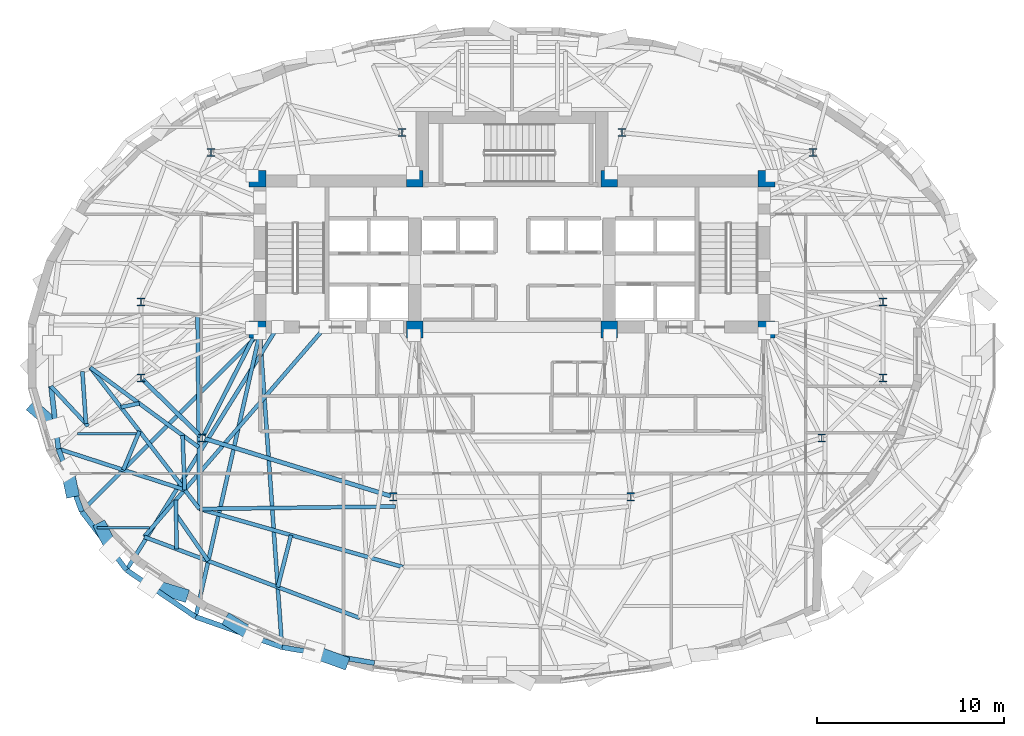
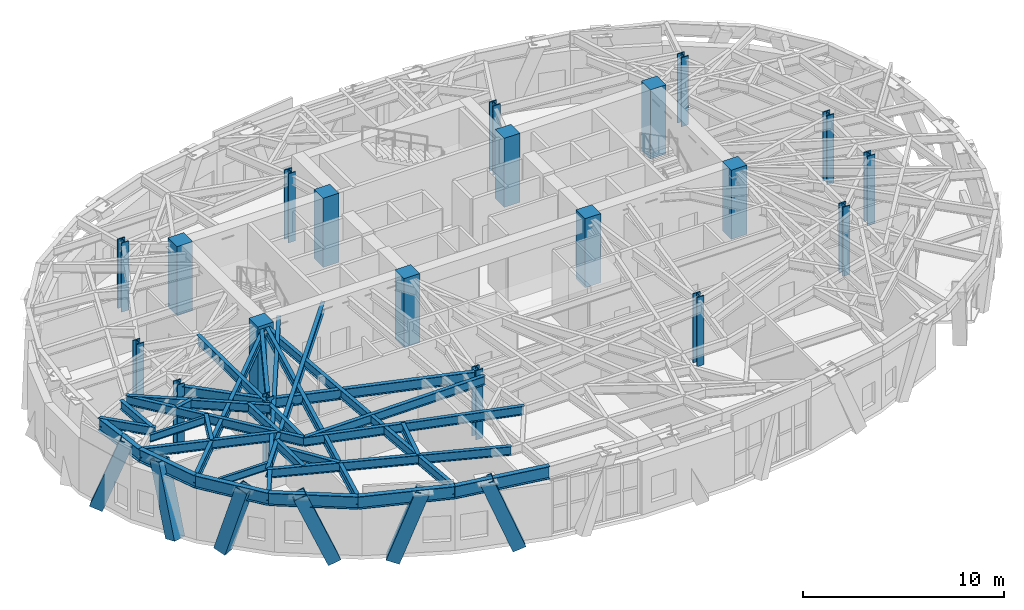
# One storey, part 1 of 16: 31 beams, 20 columns, 6 members.
"""IFC4 building model written with IfcOpenShell, lengths in metres."""

from ifc_helpers import new_model, si_unit, direction, frame, origin, origin_2d, place, context, subcontext, project, spatial, rectangle, hollow_rectangle, i_section, extrude, material, material_profile, profile_set, type_object, element, save


model = new_model("IFC4")

# Units and contexts
model_context = context("Model", 3, precision=1e-05, world=origin(), true_north=direction((0.0, 1.0)))
body_context = subcontext(model_context, "Body", "Model", "MODEL_VIEW")
ifc_project = project(units=[si_unit("LENGTHUNIT", "METRE"), si_unit("AREAUNIT", "SQUARE_METRE"), si_unit("VOLUMEUNIT", "CUBIC_METRE"), si_unit("PLANEANGLEUNIT", "RADIAN"), si_unit("MASSUNIT", "GRAM", prefix="KILO")], contexts=[model_context])

# Site, building, storey
site_placement = place(None, origin())
site = spatial("IfcSite", under=ifc_project, at=site_placement, CompositionType="ELEMENT")
building_placement = place(site_placement, origin())
building = spatial("IfcBuilding", under=site, at=building_placement, Name="Keldmark Tower", CompositionType="ELEMENT")
storey_placement = place(building_placement, frame((0.0, 0.0, 139.60009765625)))
storey = spatial("IfcBuildingStorey", under=building, at=storey_placement, Name="L37", CompositionType="ELEMENT", Elevation=139.60009765625)

# Columns
ifc_material_1 = material(Name="Concrete C50/60", Category="concrete")
ifc_material_profile_1 = material_profile(ifc_material_1, rectangle(XDim=0.89990234375, YDim=0.89990234375, at=origin_2d()), Name="RC900X900")
ifc_profile_set_1 = profile_set([ifc_material_profile_1], Name="Concrete C50/60")
column_type_1 = type_object("IfcColumnType", Name="Core Boundary Column RC900", PredefinedType="COLUMN", material=ifc_profile_set_1)
for number, where, z_axis, x_axis, name in (
    (1, (-13.60009765625, 1.39990234375, 0.0), (0.0, 0.0, 1.0), (1.0, 0.0, 0.0), "L37 Core Boundary Column CC-W1"),
    (2, (-13.60009765625, 9.449951171875, 0.0), (0.0, 0.0, 1.0), (1.0, 0.0, 0.0), "L37 Core Boundary Column CC-W2"),
    (3, (-5.199951171875, 1.39990234375, 0.0), (0.0, 0.0, 1.0), (1.0, 0.0, 0.0), "L37 Core Boundary Column CC-W3"),
    (4, (-5.199951171875, 9.449951171875, 0.0), (0.0, 0.0, 1.0), (1.0, 0.0, 0.0), "L37 Core Boundary Column CC-W4"),
    (5, (5.199951171875, 1.39990234375, 0.0), (0.0, 0.0, 1.0), (1.0, 0.0, 0.0), "L37 Core Boundary Column CC-E1"),
    (6, (5.199951171875, 9.449951171875, 0.0), (0.0, 0.0, 1.0), (1.0, 0.0, 0.0), "L37 Core Boundary Column CC-E2"),
    (7, (13.60009765625, 1.39990234375, 0.0), (0.0, 0.0, 1.0), (1.0, 0.0, 0.0), "L37 Core Boundary Column CC-E3"),
    (8, (13.60009765625, 9.449951171875, 0.0), (0.0, 0.0, 1.0), (1.0, 0.0, 0.0), "L37 Core Boundary Column CC-E4"),
):
    element("IfcColumn", number, at=place(storey_placement, frame(where, z_axis=z_axis, x_axis=x_axis)), inside=storey, type_object=column_type_1, Name=name, PredefinedType="COLUMN", context=body_context, shape_type="SweptSolid", body=[
        extrude(rectangle(XDim=0.89990234375, YDim=0.89990234375, at=origin_2d()), origin(), (0.0, 0.0, 1.0), 4.199951171875),
    ])
ifc_material_2 = material(Name="Steel ASTM A992 Grade 50", Category="steel")
ifc_material_profile_2 = material_profile(ifc_material_2, i_section(OverallWidth=0.412109375, OverallDepth=0.43505859375, WebThickness=0.035888671875, FlangeThickness=0.057373046875, at=origin_2d()), Name="W14X311")
ifc_profile_set_2 = profile_set([ifc_material_profile_2], Name="Steel ASTM A992 Grade 50")
column_type_2 = type_object("IfcColumnType", Name="Tower Gravity Column W14X311", PredefinedType="COLUMN", material=ifc_profile_set_2)
for number, where, z_axis, x_axis, name in (
    (9, (19.828369140625, 2.869140625, 0.0), (0.0, 0.0, 1.0), (1.0, 0.0, 0.0), "L37 Tower Gravity Column TC-E1"),
    (10, (16.08154296875, 10.861083984375, 0.0), (0.0, 0.0, 1.0), (1.0, 0.0, 0.0), "L37 Tower Gravity Column TC-E4"),
    (11, (5.880126953125, 11.915283203125, 0.0), (0.0, 0.0, 1.0), (1.0, 0.0, 0.0), "L37 Tower Gravity Column TC-N2"),
    (12, (-5.880126953125, 11.915283203125, 0.0), (0.0, 0.0, 1.0), (1.0, 0.0, 0.0), "L37 Tower Gravity Column TC-N1"),
    (13, (-16.08154296875, 10.861083984375, 0.0), (0.0, 0.0, 1.0), (1.0, 0.0, 0.0), "L37 Tower Gravity Column TC-W4"),
    (14, (-19.828369140625, 2.869140625, 0.0), (0.0, 0.0, 1.0), (1.0, 0.0, 0.0), "L37 Tower Gravity Column TC-W1"),
    (15, (-19.828369140625, -1.189208984375, 0.0), (0.0, 0.0, 1.0), (1.0, 0.0, 0.0), "L37 Tower Gravity Column TC-W5"),
    (16, (-16.546630859375, -4.3984375, 0.0), (0.0, 0.0, 1.0), (1.0, 0.0, 0.0), "L37 Tower Gravity Column TC-W2"),
    (17, (-6.351318359375, -7.546142578125, 0.0), (0.0, 0.0, 1.0), (1.0, 0.0, 0.0), "L37 Tower Gravity Column TC-W3"),
    (18, (6.351318359375, -7.546142578125, 0.0), (0.0, 0.0, 1.0), (1.0, 0.0, 0.0), "L37 Tower Gravity Column TC-E3"),
    (19, (16.546630859375, -4.3984375, 0.0), (0.0, 0.0, 1.0), (1.0, 0.0, 0.0), "L37 Tower Gravity Column TC-E2"),
    (20, (19.828369140625, -1.189208984375, 0.0), (0.0, 0.0, 1.0), (1.0, 0.0, 0.0), "L37 Tower Gravity Column TC-E5"),
):
    element("IfcColumn", number, at=place(storey_placement, frame(where, z_axis=z_axis, x_axis=x_axis)), inside=storey, type_object=column_type_2, Name=name, PredefinedType="COLUMN", context=body_context, shape_type="SweptSolid", body=[
        extrude(i_section(OverallWidth=0.412109375, OverallDepth=0.43505859375, WebThickness=0.035888671875, FlangeThickness=0.057373046875, at=origin_2d()), origin(), (0.0, 0.0, 1.0), 4.199951171875),
    ])

# Beams
ifc_material_3 = material(Name="Steel ASTM A992 Grade 50", Category="steel")
ifc_material_profile_3 = material_profile(ifc_material_3, i_section(OverallWidth=0.153076171875, OverallDepth=0.455078125, WebThickness=0.008056640625, FlangeThickness=0.01318359375, at=origin_2d()), Name="W18X40")
ifc_profile_set_3 = profile_set([ifc_material_profile_3], Name="Steel ASTM A992 Grade 50")
beam_type_1 = type_object("IfcBeamType", Name="Composite Floor Joist W18X40", PredefinedType="JOIST", material=ifc_profile_set_3)
beam_1_placement = place(storey_placement, frame((-22.168212890625, -9.199951171875, 3.79248046875), z_axis=(1.0, 0.0, 0.0), x_axis=(0.0, 1.0, 0.0)))
element("IfcBeam", 21, at=beam_1_placement, inside=storey, type_object=beam_type_1, Name="L37 Composite Floor Joist J02", PredefinedType="JOIST", context=body_context, shape_type="SweptSolid", body=[
    extrude(i_section(OverallWidth=0.153076171875, OverallDepth=0.455078125, WebThickness=0.008056640625, FlangeThickness=0.01318359375, at=origin_2d()), origin(), (0.0, 0.0, 1.0), 2.798828125),
])
beam_2_placement = place(storey_placement, frame((-23.2119140625, -4.179931640625, 3.79248046875), z_axis=(1.0, 0.0, 0.0), x_axis=(0.0, 1.0, 0.0)))
element("IfcBeam", 22, at=beam_2_placement, inside=storey, type_object=beam_type_1, Name="L37 Composite Floor Joist J04", PredefinedType="JOIST", context=body_context, shape_type="SweptSolid", body=[
    extrude(i_section(OverallWidth=0.153076171875, OverallDepth=0.455078125, WebThickness=0.008056640625, FlangeThickness=0.01318359375, at=origin_2d()), origin(), (0.0, 0.0, 1.0), 3.139892578125),
])

# Members
ifc_material_4 = material(Name="Steel ASTM A572 Grade 50", Category="steel")
ifc_material_profile_4 = material_profile(ifc_material_4, hollow_rectangle(XDim=0.699951171875, YDim=0.699951171875, WallThickness=0.044921875, at=origin_2d()), Name="BOX700X700X45")
ifc_profile_set_4 = profile_set([ifc_material_profile_4], Name="Steel ASTM A572 Grade 50")
member_type = type_object("IfcMemberType", Name="Diagrid Zone 2 Brace BOX700X700X45", PredefinedType="BRACE", material=ifc_profile_set_4)
member_1_placement = place(storey_placement, frame((-25.483642578125, -2.850341796875, -0.300048828125), z_axis=(0.262066689179, -0.226622796551, 0.938063515177), x_axis=(0.654103261751, 0.756405263709, 0.0)))
element("IfcMember", 23, at=member_1_placement, inside=storey, type_object=member_type, Name="L37 Perimeter Diagrid Brace 09A", PredefinedType="BRACE", context=body_context, shape_type="SweptSolid", body=[
    extrude(hollow_rectangle(XDim=0.699951171875, YDim=0.699951171875, WallThickness=0.044921875, at=origin_2d()), origin(), (0.0, 0.0, 1.0), 4.477294921875),
])
member_2_placement = place(storey_placement, frame((-23.522705078125, -7.224853515625, -0.300048828125), z_axis=(-0.055833681722, 0.262199897513, 0.963397017709), x_axis=(-0.978070630791, -0.208273476911, 0.0)))
element("IfcMember", 24, at=member_2_placement, inside=storey, type_object=member_type, Name="L37 Perimeter Diagrid Brace 09B", PredefinedType="BRACE", context=body_context, shape_type="SweptSolid", body=[
    extrude(hollow_rectangle(XDim=0.699951171875, YDim=0.699951171875, WallThickness=0.044921875, at=origin_2d()), origin(), (0.0, 0.0, 1.0), 4.359619140625),
])
member_3_placement = place(storey_placement, frame((-21.93310546875, -9.235107421875, -0.300048828125), z_axis=(0.133933404901, -0.262311712129, 0.955643452723), x_axis=(0.890623143363, 0.454742142874, 0.0)))
element("IfcMember", 25, at=member_3_placement, inside=storey, type_object=member_type, Name="L37 Perimeter Diagrid Brace 10A", PredefinedType="BRACE", context=body_context, shape_type="SweptSolid", body=[
    extrude(hollow_rectangle(XDim=0.699951171875, YDim=0.699951171875, WallThickness=0.044921875, at=origin_2d()), origin(), (0.0, 0.0, 1.0), 4.394775390625),
])
member_4_placement = place(storey_placement, frame((-17.649169921875, -12.768310546875, -0.300048828125), z_axis=(-0.367769110097, 0.112627277808, 0.923071491246), x_axis=(-0.29282099744, -0.956167277969, 0.0)))
element("IfcMember", 26, at=member_4_placement, inside=storey, type_object=member_type, Name="L37 Perimeter Diagrid Brace 10B", PredefinedType="BRACE", context=body_context, shape_type="SweptSolid", body=[
    extrude(hollow_rectangle(XDim=0.699951171875, YDim=0.699951171875, WallThickness=0.044921875, at=origin_2d()), origin(), (0.0, 0.0, 1.0), 4.550048828125),
])
member_5_placement = place(storey_placement, frame((-15.04345703125, -14.213623046875, -0.300048828125), z_axis=(0.281455160175, -0.176067118512, 0.94328328862), x_axis=(0.530340358886, 0.847784821601, 0.0)))
element("IfcMember", 27, at=member_5_placement, inside=storey, type_object=member_type, Name="L37 Perimeter Diagrid Brace 11A", PredefinedType="BRACE", context=body_context, shape_type="SweptSolid", body=[
    extrude(hollow_rectangle(XDim=0.699951171875, YDim=0.699951171875, WallThickness=0.044921875, at=origin_2d()), origin(), (0.0, 0.0, 1.0), 4.452392578125),
])
member_6_placement = place(storey_placement, frame((-9.088623046875, -16.367919921875, -0.300048828125), z_axis=(-0.339062233907, 0.123177069945, 0.932665111912), x_axis=(-0.341453441546, -0.93989868989, 0.0)))
element("IfcMember", 28, at=member_6_placement, inside=storey, type_object=member_type, Name="L37 Perimeter Diagrid Brace 11B", PredefinedType="BRACE", context=body_context, shape_type="SweptSolid", body=[
    extrude(hollow_rectangle(XDim=0.699951171875, YDim=0.699951171875, WallThickness=0.044921875, at=origin_2d()), origin(), (0.0, 0.0, 1.0), 4.503173828125),
])

# Beams
ifc_material_5 = material(Name="Steel ASTM A992 Grade 50", Category="steel")
ifc_material_profile_5 = material_profile(ifc_material_5, i_section(OverallWidth=0.22900390625, OverallDepth=0.612060546875, WebThickness=0.011962890625, FlangeThickness=0.01953125, at=origin_2d()), Name="W24X84")
ifc_profile_set_5 = profile_set([ifc_material_profile_5], Name="Steel ASTM A992 Grade 50")
beam_type_2 = type_object("IfcBeamType", Name="Primary Floor Girder W24X84", PredefinedType="BEAM", material=ifc_profile_set_5)
beam_3_placement = place(storey_placement, frame((-19.728271484375, -1.287109375, 3.7138671875), z_axis=(0.714964509815, -0.699160746684, 0.0), x_axis=(0.699160746684, 0.714964509815, 0.0)))
element("IfcBeam", 29, at=beam_3_placement, inside=storey, type_object=beam_type_2, Name="L37 Floor Ring Girder FG-R07", PredefinedType="BEAM", context=body_context, shape_type="SweptSolid", body=[
    extrude(i_section(OverallWidth=0.22900390625, OverallDepth=0.612060546875, WebThickness=0.011962890625, FlangeThickness=0.01953125, at=origin_2d()), origin(), (0.0, 0.0, 1.0), 4.31005859375),
])
beam_4_placement = place(storey_placement, frame((-16.412841796875, -4.439697265625, 3.7138671875), z_axis=(0.955494563145, -0.295008711398, 0.0), x_axis=(0.295008711398, 0.955494563145, 0.0)))
element("IfcBeam", 30, at=beam_4_placement, inside=storey, type_object=beam_type_2, Name="L37 Floor Ring Girder FG-R08", PredefinedType="BEAM", context=body_context, shape_type="SweptSolid", body=[
    extrude(i_section(OverallWidth=0.22900390625, OverallDepth=0.612060546875, WebThickness=0.011962890625, FlangeThickness=0.01953125, at=origin_2d()), origin(), (0.0, 0.0, 1.0), 10.39013671875),
])
ifc_material_6 = material(Name="Steel ASTM A992 Grade 50", Category="steel")
ifc_material_profile_6 = material_profile(ifc_material_6, i_section(OverallWidth=0.2099609375, OverallDepth=0.537109375, WebThickness=0.010986328125, FlangeThickness=0.017333984375, at=origin_2d()), Name="W21X68")
ifc_profile_set_6 = profile_set([ifc_material_profile_6], Name="Steel ASTM A992 Grade 50")
beam_type_3 = type_object("IfcBeamType", Name="Radial Tie Girder W21X68", PredefinedType="BEAM", material=ifc_profile_set_6)
beam_5_placement = place(storey_placement, frame((-16.4833984375, -4.273681640625, 3.75146484375), z_axis=(0.453036691775, 0.891491870914, 0.0), x_axis=(-0.891491870914, 0.453036691775, 0.0)))
element("IfcBeam", 31, at=beam_5_placement, inside=storey, type_object=beam_type_3, Name="L37 Floor Radial Girder FG-C08", PredefinedType="BEAM", context=body_context, shape_type="SweptSolid", body=[
    extrude(i_section(OverallWidth=0.2099609375, OverallDepth=0.537109375, WebThickness=0.010986328125, FlangeThickness=0.017333984375, at=origin_2d()), origin(), (0.0, 0.0, 1.0), 6.044189453125),
])
beam_6_placement = place(storey_placement, frame((-22.531494140625, -0.63720703125, 3.75146484375), z_axis=(0.805781024276, -0.592213593999, 0.0), x_axis=(0.592213593999, 0.805781024276, 0.0)))
element("IfcBeam", 32, at=beam_6_placement, inside=storey, type_object=beam_type_3, Name="L37 Framing Pin Header PH-004", PredefinedType="BEAM", context=body_context, shape_type="SweptSolid", body=[
    extrude(i_section(OverallWidth=0.2099609375, OverallDepth=0.537109375, WebThickness=0.010986328125, FlangeThickness=0.017333984375, at=origin_2d()), origin(), (0.0, 0.0, 1.0), 7.195068359375),
])
beam_7_placement = place(storey_placement, frame((-16.8017578125, 2.1552734375, 3.75146484375), z_axis=(0.009623557733, -0.999953692496, 0.0), x_axis=(0.999953692496, 0.009623557733, 0.0)))
element("IfcBeam", 33, at=beam_7_placement, inside=storey, type_object=beam_type_3, Name="L37 Sub-Ring Step Girder STP1-M08", PredefinedType="BEAM", context=body_context, shape_type="SweptSolid", body=[
    extrude(i_section(OverallWidth=0.2099609375, OverallDepth=0.537109375, WebThickness=0.010986328125, FlangeThickness=0.017333984375, at=origin_2d()), origin(), (0.0, 0.0, 1.0), 10.3505859375),
])
beam_8_placement = place(storey_placement, frame((-16.7021484375, -8.19482421875, 3.75146484375), z_axis=(0.999921632647, 0.012519127946, 0.0), x_axis=(-0.012519127946, 0.999921632647, 0.0)))
element("IfcBeam", 34, at=beam_8_placement, inside=storey, type_object=beam_type_3, Name="L37 Framing Pin Header PH-005", PredefinedType="BEAM", context=body_context, shape_type="SweptSolid", body=[
    extrude(i_section(OverallWidth=0.2099609375, OverallDepth=0.537109375, WebThickness=0.010986328125, FlangeThickness=0.017333984375, at=origin_2d()), origin(), (0.0, 0.0, 1.0), 10.47216796875),
])
beam_9_placement = place(storey_placement, frame((-22.531494140625, -0.63720703125, 3.75146484375), z_axis=(0.610749846947, -0.791823606906, 0.0), x_axis=(0.791823606906, 0.610749846947, 0.0)))
element("IfcBeam", 35, at=beam_9_placement, inside=storey, type_object=beam_type_3, Name="L37 Perimeter Collector Ring Beam CRG1-M07", PredefinedType="BEAM", context=body_context, shape_type="SweptSolid", body=[
    extrude(i_section(OverallWidth=0.2099609375, OverallDepth=0.537109375, WebThickness=0.010986328125, FlangeThickness=0.017333984375, at=origin_2d()), origin(), (0.0, 0.0, 1.0), 9.544677734375),
])
beam_10_placement = place(storey_placement, frame((-16.7021484375, -8.19482421875, 3.75146484375), z_axis=(0.961483210619, -0.274863667475, 0.0), x_axis=(0.274863667475, 0.961483210619, 0.0)))
element("IfcBeam", 36, at=beam_10_placement, inside=storey, type_object=beam_type_3, Name="L37 Perimeter Collector Ring Beam CRG1-M08", PredefinedType="BEAM", context=body_context, shape_type="SweptSolid", body=[
    extrude(i_section(OverallWidth=0.2099609375, OverallDepth=0.537109375, WebThickness=0.010986328125, FlangeThickness=0.017333984375, at=origin_2d()), origin(), (0.0, 0.0, 1.0), 11.310546875),
])
beam_11_placement = place(storey_placement, frame((-17.603515625, -4.259033203125, 3.75146484375), z_axis=(0.03892498894, -0.999242135439, 0.0), x_axis=(0.999242135439, 0.03892498894, 0.0)))
element("IfcBeam", 37, at=beam_11_placement, inside=storey, type_object=beam_type_3, Name="L37 Framing Pin Header PH-010", PredefinedType="BEAM", context=body_context, shape_type="SweptSolid", body=[
    extrude(i_section(OverallWidth=0.2099609375, OverallDepth=0.537109375, WebThickness=0.010986328125, FlangeThickness=0.017333984375, at=origin_2d()), origin(), (0.0, 0.0, 1.0), 2.91650390625),
])
beam_12_placement = place(storey_placement, frame((-9.97509765625, 1.52490234375, 3.75146484375), z_axis=(-0.653755037919, -0.756706251061, 0.0), x_axis=(0.756706251061, -0.653755037919, 0.0)))
element("IfcBeam", 38, at=beam_12_placement, inside=storey, type_object=beam_type_3, Name="L37 Sub-Ring Step Girder STP2-M08", PredefinedType="BEAM", context=body_context, shape_type="SweptSolid", body=[
    extrude(i_section(OverallWidth=0.2099609375, OverallDepth=0.537109375, WebThickness=0.010986328125, FlangeThickness=0.017333984375, at=origin_2d()), origin(), (0.0, 0.0, 1.0), 14.81201171875),
])
beam_13_placement = place(storey_placement, frame((-19.658447265625, -9.683349609375, 3.75146484375), z_axis=(0.935793237978, -0.352549309678, 0.0), x_axis=(0.352549309678, 0.935793237978, 0.0)))
element("IfcBeam", 39, at=beam_13_placement, inside=storey, type_object=beam_type_3, Name="L37 Perimeter Collector Ring Beam CRG2-M08", PredefinedType="BEAM", context=body_context, shape_type="SweptSolid", body=[
    extrude(i_section(OverallWidth=0.2099609375, OverallDepth=0.537109375, WebThickness=0.010986328125, FlangeThickness=0.017333984375, at=origin_2d()), origin(), (0.0, 0.0, 1.0), 12.3056640625),
])
beam_14_placement = place(storey_placement, frame((-19.922607421875, -2.5546875, 3.75146484375), z_axis=(-0.978744788032, -0.205082032122, 0.0), x_axis=(0.205082032122, -0.978744788032, 0.0)))
element("IfcBeam", 40, at=beam_14_placement, inside=storey, type_object=beam_type_3, Name="L37 Framing Pin Header PH-024", PredefinedType="BEAM", context=body_context, shape_type="SweptSolid", body=[
    extrude(i_section(OverallWidth=0.2099609375, OverallDepth=0.537109375, WebThickness=0.010986328125, FlangeThickness=0.017333984375, at=origin_2d()), origin(), (0.0, 0.0, 1.0), 0.994140625),
])
beam_15_placement = place(storey_placement, frame((-24.631591796875, -1.644287109375, 3.75146484375), z_axis=(0.683029540275, -0.730390749607, 0.0), x_axis=(0.730390749607, 0.683029540275, 0.0)))
element("IfcBeam", 41, at=beam_15_placement, inside=storey, type_object=beam_type_3, Name="L37 Local Collector Chord RT-18C", PredefinedType="BEAM", context=body_context, shape_type="SweptSolid", body=[
    extrude(i_section(OverallWidth=0.2099609375, OverallDepth=0.537109375, WebThickness=0.010986328125, FlangeThickness=0.017333984375, at=origin_2d()), origin(), (0.0, 0.0, 1.0), 2.89697265625),
])
beam_16_placement = place(storey_placement, frame((-22.9580078125, -0.855712890625, 3.75146484375), z_axis=(0.069264301628, -0.997598344285, 0.0), x_axis=(0.997598344285, 0.069264301628, 0.0)))
element("IfcBeam", 42, at=beam_16_placement, inside=storey, type_object=beam_type_3, Name="L37 Framing Pin Header PH-025", PredefinedType="BEAM", context=body_context, shape_type="SweptSolid", body=[
    extrude(i_section(OverallWidth=0.2099609375, OverallDepth=0.537109375, WebThickness=0.010986328125, FlangeThickness=0.017333984375, at=origin_2d()), origin(), (0.0, 0.0, 1.0), 2.79150390625),
])
beam_17_placement = place(storey_placement, frame((-17.93115234375, -10.333984375, 3.75146484375), z_axis=(-0.008277246199, 0.999965743011, 0.0), x_axis=(-0.999965743011, -0.008277246199, 0.0)))
element("IfcBeam", 43, at=beam_17_placement, inside=storey, type_object=beam_type_3, Name="L37 Framing Pin Header PH-026", PredefinedType="BEAM", context=body_context, shape_type="SweptSolid", body=[
    extrude(i_section(OverallWidth=0.2099609375, OverallDepth=0.537109375, WebThickness=0.010986328125, FlangeThickness=0.017333984375, at=origin_2d()), origin(), (0.0, 0.0, 1.0), 2.625),
])
beam_18_placement = place(storey_placement, frame((-12.52490234375, 1.52490234375, 3.75146484375), z_axis=(-0.528121799446, -0.849168631634, 0.0), x_axis=(0.849168631634, -0.528121799446, 0.0)))
element("IfcBeam", 44, at=beam_18_placement, inside=storey, type_object=beam_type_3, Name="L37 Perimeter Radial Tie Girder RT-20", PredefinedType="BEAM", context=body_context, shape_type="SweptSolid", body=[
    extrude(i_section(OverallWidth=0.2099609375, OverallDepth=0.537109375, WebThickness=0.010986328125, FlangeThickness=0.017333984375, at=origin_2d()), origin(), (0.0, 0.0, 1.0), 15.290283203125),
])
beam_19_placement = place(storey_placement, frame((-17.9462890625, -8.49658203125, 3.75146484375), z_axis=(0.569302618488, -0.822128048775, 0.0), x_axis=(0.822128048775, 0.569302618488, 0.0)))
element("IfcBeam", 45, at=beam_19_placement, inside=storey, type_object=beam_type_3, Name="L37 Framing Pin Header PH-027", PredefinedType="BEAM", context=body_context, shape_type="SweptSolid", body=[
    extrude(i_section(OverallWidth=0.2099609375, OverallDepth=0.537109375, WebThickness=0.010986328125, FlangeThickness=0.017333984375, at=origin_2d()), origin(), (0.0, 0.0, 1.0), 3.0146484375),
])
beam_20_placement = place(storey_placement, frame((-13.47509765625, 1.199951171875, 3.75146484375), z_axis=(-0.22069994663, -0.975341752186, 0.0), x_axis=(0.975341752186, -0.22069994663, 0.0)))
element("IfcBeam", 46, at=beam_20_placement, inside=storey, type_object=beam_type_3, Name="L37 Perimeter Radial Tie Girder RT-21", PredefinedType="BEAM", context=body_context, shape_type="SweptSolid", body=[
    extrude(i_section(OverallWidth=0.2099609375, OverallDepth=0.537109375, WebThickness=0.010986328125, FlangeThickness=0.017333984375, at=origin_2d()), origin(), (0.0, 0.0, 1.0), 15.546630859375),
])
beam_21_placement = place(storey_placement, frame((-11.80859375, -9.59375, 3.75146484375), z_axis=(-0.246597912259, -0.969117882236, 0.0), x_axis=(0.969117882236, -0.246597912259, 0.0)))
element("IfcBeam", 47, at=beam_21_placement, inside=storey, type_object=beam_type_3, Name="L37 Framing Pin Header PH-028", PredefinedType="BEAM", context=body_context, shape_type="SweptSolid", body=[
    extrude(i_section(OverallWidth=0.2099609375, OverallDepth=0.537109375, WebThickness=0.010986328125, FlangeThickness=0.017333984375, at=origin_2d()), origin(), (0.0, 0.0, 1.0), 2.869140625),
])
beam_22_placement = place(storey_placement, frame((-13.47509765625, 1.199951171875, 3.75146484375), z_axis=(0.07047366832, -0.997513640044, 0.0), x_axis=(0.997513640044, 0.07047366832, 0.0)))
element("IfcBeam", 48, at=beam_22_placement, inside=storey, type_object=beam_type_3, Name="L37 Perimeter Radial Tie Girder RT-22", PredefinedType="BEAM", context=body_context, shape_type="SweptSolid", body=[
    extrude(i_section(OverallWidth=0.2099609375, OverallDepth=0.537109375, WebThickness=0.010986328125, FlangeThickness=0.017333984375, at=origin_2d()), origin(), (0.0, 0.0, 1.0), 16.825927734375),
])
beam_23_placement = place(storey_placement, frame((-24.239501953125, -4.98388671875, 3.75146484375), z_axis=(0.951205352598, -0.308558547425, 0.0), x_axis=(0.308558547425, 0.951205352598, 0.0)))
element("IfcBeam", 49, at=beam_23_placement, inside=storey, type_object=beam_type_3, Name="L37 Straddling Support Chord RT-19RB", PredefinedType="BEAM", context=body_context, shape_type="SweptSolid", body=[
    extrude(i_section(OverallWidth=0.2099609375, OverallDepth=0.537109375, WebThickness=0.010986328125, FlangeThickness=0.017333984375, at=origin_2d()), origin(), (0.0, 0.0, 1.0), 7.095703125),
])
beam_24_placement = place(storey_placement, frame((-19.908203125, -4.0380859375, 3.75146484375), z_axis=(-0.385511431602, -0.922703059551, 0.0), x_axis=(0.922703059551, -0.385511431602, 0.0)))
element("IfcBeam", 50, at=beam_24_placement, inside=storey, type_object=beam_type_3, Name="L37 Framing Pin Header PH-043", PredefinedType="BEAM", context=body_context, shape_type="SweptSolid", body=[
    extrude(i_section(OverallWidth=0.2099609375, OverallDepth=0.537109375, WebThickness=0.010986328125, FlangeThickness=0.017333984375, at=origin_2d()), origin(), (0.0, 0.0, 1.0), 2.24365234375),
])
beam_25_placement = place(storey_placement, frame((-13.47509765625, 1.199951171875, 3.75146484375), z_axis=(-0.706617164296, -0.70759605929, 0.0), x_axis=(0.70759605929, -0.706617164296, 0.0)))
element("IfcBeam", 51, at=beam_25_placement, inside=storey, type_object=beam_type_3, Name="L37 Perimeter Radial Tie Girder RT-19R", PredefinedType="BEAM", context=body_context, shape_type="SweptSolid", body=[
    extrude(i_section(OverallWidth=0.2099609375, OverallDepth=0.537109375, WebThickness=0.010986328125, FlangeThickness=0.017333984375, at=origin_2d()), origin(), (0.0, 0.0, 1.0), 13.4677734375),
])
ifc_material_7 = material(Name="Steel ASTM A992 Grade 50", Category="steel")
ifc_material_profile_7 = material_profile(ifc_material_7, i_section(OverallWidth=0.26806640625, OverallDepth=0.77001953125, WebThickness=0.015625, FlangeThickness=0.025390625, at=origin_2d()), Name="W30X132")
ifc_profile_set_7 = profile_set([ifc_material_profile_7], Name="Steel ASTM A992 Grade 50")
beam_type_4 = type_object("IfcBeamType", Name="Spandrel Ring Beam W30X132", PredefinedType="SPANDREL", material=ifc_profile_set_7)
beam_26_placement = place(storey_placement, frame((-24.631591796875, -1.644287109375, 3.635009765625), z_axis=(0.116605336518, -0.993178330158, 0.0), x_axis=(0.993178330158, 0.116605336518, 0.0)))
element("IfcBeam", 52, at=beam_26_placement, inside=storey, type_object=beam_type_4, Name="L37 Perimeter Spandrel Ring Beam SRB-17", PredefinedType="SPANDREL", context=body_context, shape_type="SweptSolid", body=[
    extrude(i_section(OverallWidth=0.26806640625, OverallDepth=0.77001953125, WebThickness=0.015625, FlangeThickness=0.025390625, at=origin_2d()), origin(), (0.0, 0.0, 1.0), 3.362548828125),
])
beam_27_placement = place(storey_placement, frame((-24.239501953125, -4.98388671875, 3.635009765625), z_axis=(0.349422124021, -0.936965409844, 0.0), x_axis=(0.936965409844, 0.349422124021, 0.0)))
element("IfcBeam", 53, at=beam_27_placement, inside=storey, type_object=beam_type_4, Name="L37 Perimeter Spandrel Ring Beam SRB-18", PredefinedType="SPANDREL", context=body_context, shape_type="SweptSolid", body=[
    extrude(i_section(OverallWidth=0.26806640625, OverallDepth=0.77001953125, WebThickness=0.015625, FlangeThickness=0.025390625, at=origin_2d()), origin(), (0.0, 0.0, 1.0), 3.571044921875),
])
beam_28_placement = place(storey_placement, frame((-22.99169921875, -8.329833984375, 3.635009765625), z_axis=(0.607215400231, -0.794537260122, 0.0), x_axis=(0.794537260122, 0.607215400231, 0.0)))
element("IfcBeam", 54, at=beam_28_placement, inside=storey, type_object=beam_type_4, Name="L37 Perimeter Spandrel Ring Beam SRB-19", PredefinedType="SPANDREL", context=body_context, shape_type="SweptSolid", body=[
    extrude(i_section(OverallWidth=0.26806640625, OverallDepth=0.77001953125, WebThickness=0.015625, FlangeThickness=0.025390625, at=origin_2d()), origin(), (0.0, 0.0, 1.0), 3.938720703125),
])
beam_29_placement = place(storey_placement, frame((-20.60009765625, -11.459228515625, 3.635009765625), z_axis=(0.827724433139, -0.561134799121, 0.0), x_axis=(0.561134799121, 0.827724433139, 0.0)))
element("IfcBeam", 55, at=beam_29_placement, inside=storey, type_object=beam_type_4, Name="L37 Perimeter Spandrel Ring Beam SRB-20", PredefinedType="SPANDREL", context=body_context, shape_type="SweptSolid", body=[
    extrude(i_section(OverallWidth=0.26806640625, OverallDepth=0.77001953125, WebThickness=0.015625, FlangeThickness=0.025390625, at=origin_2d()), origin(), (0.0, 0.0, 1.0), 4.462646484375),
])
beam_30_placement = place(storey_placement, frame((-16.90625, -13.96337890625, 3.635009765625), z_axis=(0.943544455186, -0.331245922372, 0.0), x_axis=(0.331245922372, 0.943544455186, 0.0)))
element("IfcBeam", 56, at=beam_30_placement, inside=storey, type_object=beam_type_4, Name="L37 Perimeter Spandrel Ring Beam SRB-21", PredefinedType="SPANDREL", context=body_context, shape_type="SweptSolid", body=[
    extrude(i_section(OverallWidth=0.26806640625, OverallDepth=0.77001953125, WebThickness=0.015625, FlangeThickness=0.025390625, at=origin_2d()), origin(), (0.0, 0.0, 1.0), 4.893310546875),
])
beam_31_placement = place(storey_placement, frame((-12.289306640625, -15.584228515625, 3.635009765625), z_axis=(0.985640803986, -0.168855575915, 0.0), x_axis=(0.168855575915, 0.985640803986, 0.0)))
element("IfcBeam", 57, at=beam_31_placement, inside=storey, type_object=beam_type_4, Name="L37 Perimeter Spandrel Ring Beam SRB-22", PredefinedType="SPANDREL", context=body_context, shape_type="SweptSolid", body=[
    extrude(i_section(OverallWidth=0.26806640625, OverallDepth=0.77001953125, WebThickness=0.015625, FlangeThickness=0.025390625, at=origin_2d()), origin(), (0.0, 0.0, 1.0), 5.008544921875),
])

save(model, "model.ifc")
